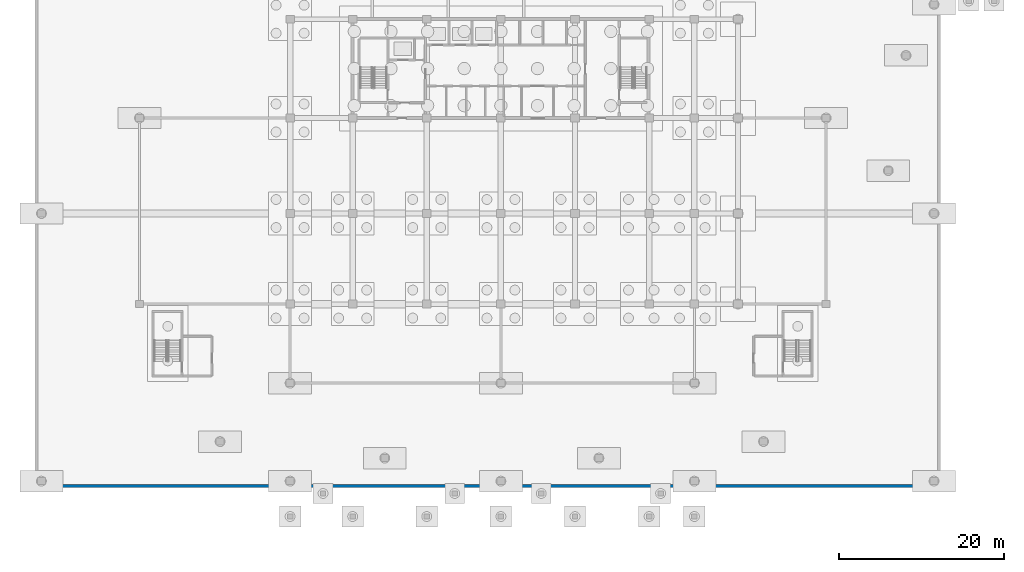
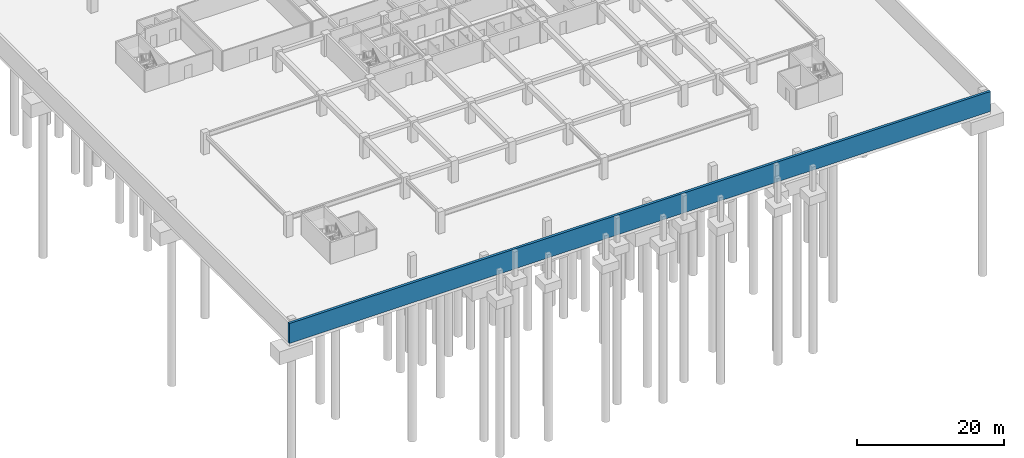
# One storey, part 9 of 26: 1 wall.
"""IFC4 building model written with IfcOpenShell, lengths in metres."""

from ifc_helpers import new_model, si_unit, direction, frame, frame_2d, origin, place, context, subcontext, project, spatial, rectangle, extrude, material, layer, layer_set, type_object, element, save


model = new_model("IFC4")

# Units and contexts
model_context = context("Model", 3, precision=1e-05, world=origin(), true_north=direction((0.0, 1.0)))
body_context = subcontext(model_context, "Body", "Model", "MODEL_VIEW")
ifc_project = project(units=[si_unit("LENGTHUNIT", "METRE"), si_unit("AREAUNIT", "SQUARE_METRE"), si_unit("VOLUMEUNIT", "CUBIC_METRE"), si_unit("PLANEANGLEUNIT", "RADIAN"), si_unit("MASSUNIT", "GRAM", prefix="KILO")], contexts=[model_context])

# Site, building, storey
site_placement = place(None, origin())
site = spatial("IfcSite", under=ifc_project, at=site_placement, CompositionType="ELEMENT")
building_placement = place(site_placement, origin())
building = spatial("IfcBuilding", under=site, at=building_placement, Name="Korimba Cascade Residences", CompositionType="ELEMENT")
storey_placement = place(building_placement, frame((0.0, 0.0, -10.800048828125)))
storey = spatial("IfcBuildingStorey", under=building, at=storey_placement, Name="B03", CompositionType="ELEMENT", Elevation=-10.800048828125)

# Wall
ifc_material = material(Name="Concrete C50/60", Category="concrete")
ifc_layer = layer(ifc_material, 0.39990234375)
ifc_layer_set = layer_set([ifc_layer], Name="Concrete C50/60")
wall_type = type_object("IfcWallType", Name="EW-RET-400", PredefinedType="USERDEFINED", material=ifc_layer_set)
wall_placement = place(storey_placement, frame((43.5, -26.300048828125, 0.0), z_axis=(0.0, 0.0, 1.0), x_axis=(1.0, 0.0, 0.0)))
element("IfcWall", 1, at=wall_placement, inside=storey, type_object=wall_type, Name="B03 Basement Retaining Wall S", ObjectType="RETAININGWALL", PredefinedType="USERDEFINED", context=body_context, shape_type="SweptSolid", body=[
    extrude(rectangle(XDim=110.0, YDim=0.39990234375, at=frame_2d((55.0, 0.0))), origin(), (0.0, 0.0, 1.0), 3.300048828125),
])

save(model, "model.ifc")
